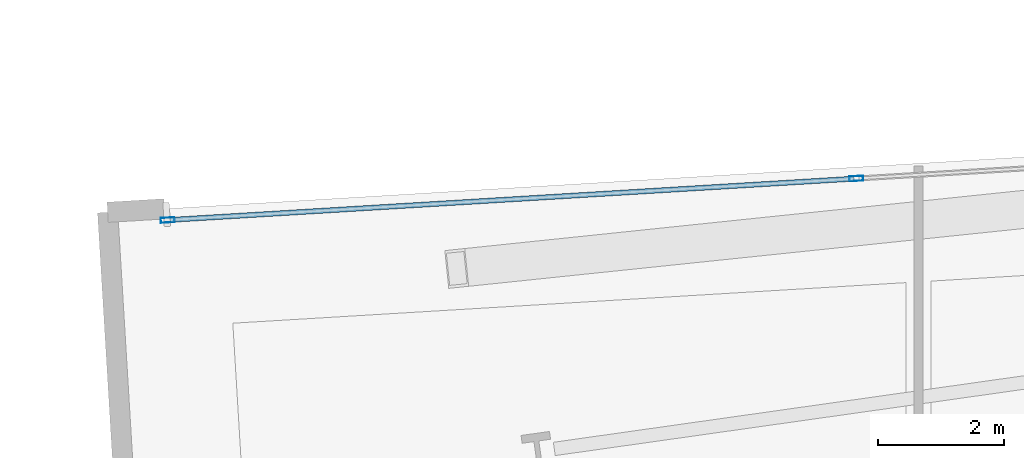
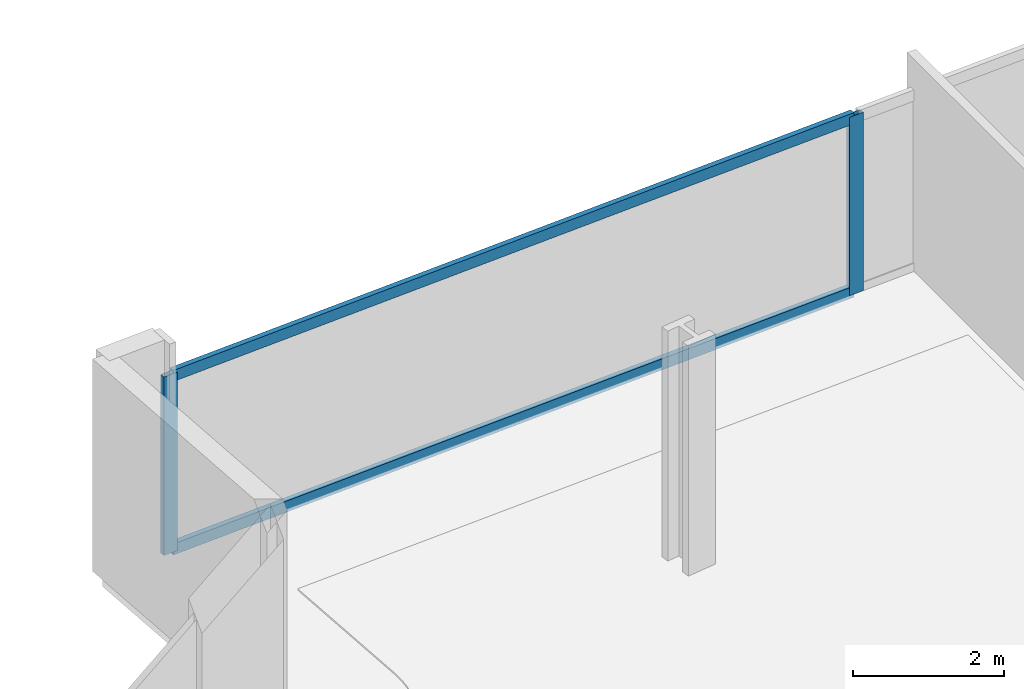
# One storey, part 18 of 34: 4 members, 1 element without a shape of its own.
"""IFC4 building model written with IfcOpenShell, lengths in metres."""

from ifc_helpers import new_model, si_unit, direction, frame, origin, origin_2d, place, context, subcontext, project, spatial, hollow_rectangle, extrude, material, material_profile, profile_set, type_object, element, aggregate, save


model = new_model("IFC4")

# Units and contexts
model_context = context("Model", 3, precision=1e-05, world=origin(), true_north=direction((0.0, 1.0)))
body_context = subcontext(model_context, "Body", "Model", "MODEL_VIEW")
ifc_project = project(units=[si_unit("LENGTHUNIT", "METRE"), si_unit("AREAUNIT", "SQUARE_METRE"), si_unit("VOLUMEUNIT", "CUBIC_METRE"), si_unit("PLANEANGLEUNIT", "RADIAN"), si_unit("MASSUNIT", "GRAM", prefix="KILO")], contexts=[model_context])

# Site, building, storey
site_placement = place(None, origin())
site = spatial("IfcSite", under=ifc_project, at=site_placement, CompositionType="ELEMENT")
building_placement = place(site_placement, origin())
building = spatial("IfcBuilding", under=site, at=building_placement, Name="Haldenkirk Collegiate Tower", CompositionType="ELEMENT")
storey_placement = place(building_placement, frame((0.0, 0.0, 40.199951171875)))
storey = spatial("IfcBuildingStorey", under=building, at=storey_placement, Name="L08", CompositionType="ELEMENT", Elevation=40.199951171875)

# Curtain wall, members
ifc_material = material(Name="Anodised architectural bronze aluminium", Category="aluminium")
curtain_wall_type = type_object("IfcCurtainWallType", Name="CW-SYS1-CONVEX-LOW", PredefinedType="USERDEFINED", material=ifc_material)
curtain_wall_placement = place(storey_placement, origin())
curtain_wall = element("IfcCurtainWall", 1, at=curtain_wall_placement, inside=storey, type_object=curtain_wall_type, Name="L08 Lower tower convex bronze-framed unitised curtain wall", ObjectType="UNITISED CURTAIN WALL", PredefinedType="USERDEFINED")
ifc_material_profile_1 = material_profile(ifc_material, hollow_rectangle(XDim=0.080078125, YDim=0.219970703125, WallThickness=0.0048828125, at=origin_2d()), Name="CW-MUL-1A")
ifc_profile_set_1 = profile_set([ifc_material_profile_1], Name="Anodised architectural bronze aluminium")
member_type_1 = type_object("IfcMemberType", Name="CW-MUL-1A", PredefinedType="MULLION", material=ifc_profile_set_1)
member_1_placement = place(storey_placement, frame((12.625732421875, 50.457763671875, 0.0), z_axis=(0.0, 0.0, 1.0), x_axis=(-0.060175833924, 0.998187792458, 0.0)))
member_1 = element("IfcMember", 2, at=member_1_placement, type_object=member_type_1, Name="CW-1A mullion 1", PredefinedType="MULLION", context=body_context, shape_type="SweptSolid", body=[
    extrude(hollow_rectangle(XDim=0.080078125, YDim=0.219970703125, WallThickness=0.0048828125, at=origin_2d()), origin(), (0.0, 0.0, 1.0), 2.89111328125),
])
member_2_placement = place(storey_placement, frame((23.51611328125, 51.1142578125, 0.0), z_axis=(0.0, 0.0, 1.0), x_axis=(-0.060175833924, 0.998187792458, 0.0)))
member_2 = element("IfcMember", 3, at=member_2_placement, type_object=member_type_1, Name="CW-1A mullion 2", PredefinedType="MULLION", context=body_context, shape_type="SweptSolid", body=[
    extrude(hollow_rectangle(XDim=0.080078125, YDim=0.219970703125, WallThickness=0.0048828125, at=origin_2d()), origin(), (0.0, 0.0, 1.0), 2.89111328125),
])
ifc_material_profile_2 = material_profile(ifc_material, hollow_rectangle(XDim=0.080078125, YDim=0.179931640625, WallThickness=0.0048828125, at=origin_2d()), Name="CW-TRN-1A")
ifc_profile_set_2 = profile_set([ifc_material_profile_2], Name="Anodised architectural bronze aluminium")
member_type_2 = type_object("IfcMemberType", Name="CW-TRN-1A", PredefinedType="USERDEFINED", material=ifc_profile_set_2)
member_3_placement = place(storey_placement, frame((12.665771484375, 50.460205078125, 0.0400390625), z_axis=(0.998188284219, 0.060167676112, 0.0), x_axis=(-0.060167676112, 0.998188284219, 0.0)))
member_3 = element("IfcMember", 4, at=member_3_placement, type_object=member_type_2, Name="CW-1A transom 1.1", ObjectType="TRANSOM", PredefinedType="USERDEFINED", context=body_context, shape_type="SweptSolid", body=[
    extrude(hollow_rectangle(XDim=0.080078125, YDim=0.179931640625, WallThickness=0.0048828125, at=origin_2d()), origin(), (0.0, 0.0, 1.0), 10.829833984375),
])
member_4_placement = place(storey_placement, frame((12.665771484375, 50.460205078125, 2.85107421875), z_axis=(0.998188284219, 0.060167676112, 0.0), x_axis=(-0.060167676112, 0.998188284219, 0.0)))
member_4 = element("IfcMember", 5, at=member_4_placement, type_object=member_type_2, Name="CW-1A transom 1.2", ObjectType="TRANSOM", PredefinedType="USERDEFINED", context=body_context, shape_type="SweptSolid", body=[
    extrude(hollow_rectangle(XDim=0.080078125, YDim=0.179931640625, WallThickness=0.0048828125, at=origin_2d()), origin(), (0.0, 0.0, 1.0), 10.829833984375),
])
aggregate(curtain_wall, [member_1, member_2, member_3, member_4])

save(model, "model.ifc")
